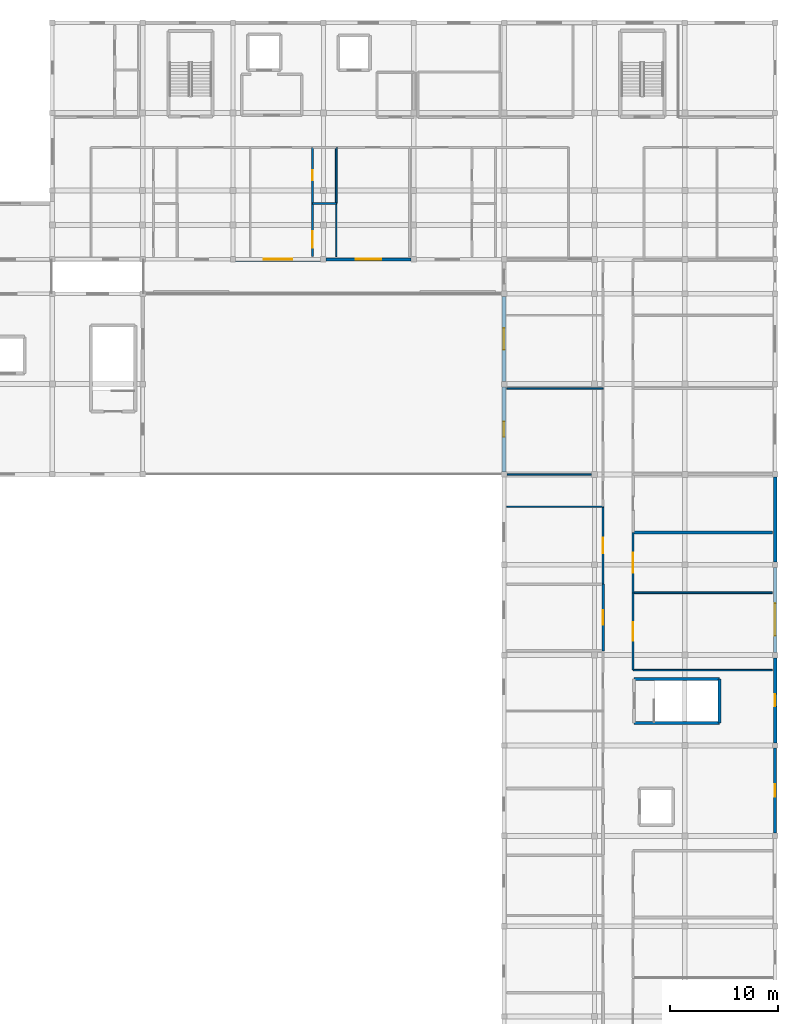
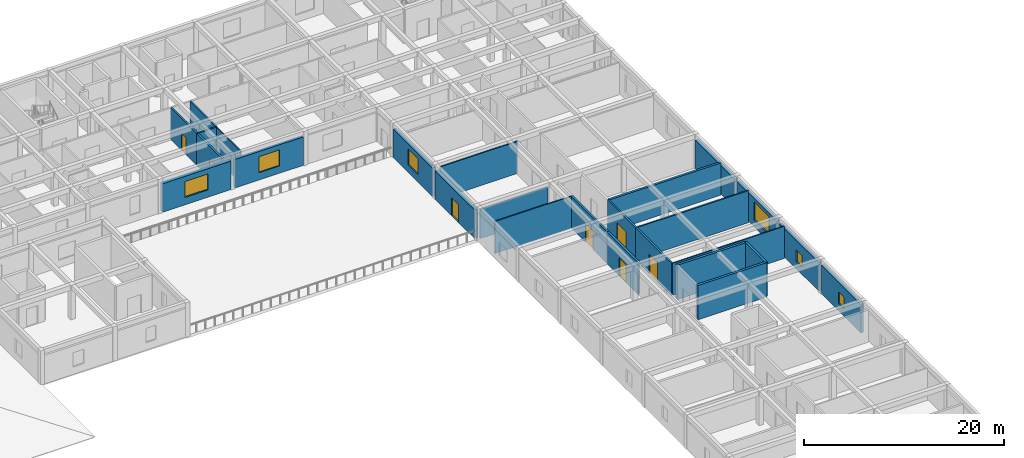
# One storey, part 17 of 28: 26 walls, 7 doors, 6 windows, 13 openings.
"""IFC4 building model written with IfcOpenShell, lengths in metres."""

from ifc_helpers import new_model, si_unit, direction, frame, frame_2d, origin, place, context, subcontext, project, spatial, rectangle, extrude, material, layer, layer_set, type_object, element, fill, save


model = new_model("IFC4")

# Units and contexts
model_context = context("Model", 3, precision=1e-05, world=origin(), true_north=direction((0.0, 1.0)))
body_context = subcontext(model_context, "Body", "Model", "MODEL_VIEW")
ifc_project = project(units=[si_unit("LENGTHUNIT", "METRE"), si_unit("AREAUNIT", "SQUARE_METRE"), si_unit("VOLUMEUNIT", "CUBIC_METRE"), si_unit("PLANEANGLEUNIT", "RADIAN"), si_unit("MASSUNIT", "GRAM", prefix="KILO")], contexts=[model_context])

# Site, building, storey
site_placement = place(None, origin())
site = spatial("IfcSite", under=ifc_project, at=site_placement, CompositionType="ELEMENT")
building_placement = place(site_placement, origin())
building = spatial("IfcBuilding", under=site, at=building_placement, Name="Varncliffe General Hospital", CompositionType="ELEMENT")
storey_placement = place(building_placement, frame((0.0, 0.0, 24.60009765625)))
storey = spatial("IfcBuildingStorey", under=building, at=storey_placement, Name="L05", CompositionType="ELEMENT", Elevation=24.60009765625)

# Wall, opening, window
ifc_material_1 = material(Name="Precast concrete C40/50 with insulated cream lime-cement stucco", Category="concrete")
ifc_layer_1 = layer(ifc_material_1, 0.31005859375)
ifc_layer_set_1 = layer_set([ifc_layer_1], Name="Precast concrete C40/50 with insulated cream lime-cement stucco")
wall_type_1 = type_object("IfcWallType", Name="Exterior Insulated Stucco Wall EW20 (310mm)", PredefinedType="SOLIDWALL", material=ifc_layer_set_1)
wall_1_placement = place(storey_placement, frame((176.39990234375, 65.751953125, 0.0), z_axis=(0.0, 0.0, 1.0), x_axis=(0.0, -1.0, 0.0)))
wall_1 = element("IfcWall", 1, at=wall_1_placement, inside=storey, type_object=wall_type_1, Name="L05 Exterior Stucco Wall EW20-456", PredefinedType="SOLIDWALL", context=body_context, shape_type="SweptSolid", body=[
    extrude(rectangle(XDim=7.904052734375, YDim=0.31005859375, at=frame_2d((3.9521484375, 0.0))), origin(), (0.0, 0.0, 1.0), 3.47998046875),
])
opening_1_placement = place(wall_1_placement, frame((3.376953125, 0.0, 0.89990234375)))
opening_1 = element("IfcOpeningElement", 2, at=opening_1_placement, cuts=wall_1, Name="Opening WN62", PredefinedType="OPENING", context=body_context, shape_type="SweptSolid", body=[
    extrude(rectangle(XDim=1.14990234375, YDim=1.39990234375, at=frame_2d((0.574951171875, 0.699951171875))), frame((0.0, 0.1650390625, 0.0), z_axis=(0.0, -1.0, 0.0), x_axis=(1.0, 0.0, 0.0)), (0.0, 0.0, 1.0), 0.330078125),
])
ifc_material_2 = material(Name="Triple low-E argon insulated vision glazing", Category="glass")
window_type_1 = type_object("IfcWindowType", Name="Triple-Glazed Hospital Window WN62 (1150x1400)", PartitioningType="SINGLE_PANEL", PredefinedType="WINDOW", material=ifc_material_2)
window_1_placement = place(opening_1_placement, origin())
window_1 = element("IfcWindow", 3, at=window_1_placement, inside=storey, type_object=window_type_1, Name="L05 Hospital Window WN62-349", OverallHeight=1.39990234375, OverallWidth=1.14990234375, PartitioningType="SINGLE_PANEL", PredefinedType="WINDOW", context=body_context, shape_type="SweptSolid", body=[
    extrude(rectangle(XDim=1.14990234375, YDim=1.39990234375, at=frame_2d((0.574951171875, 0.699951171875))), frame((0.0, 0.030029296875, 0.0), z_axis=(0.0, -1.0, 0.0), x_axis=(1.0, 0.0, 0.0)), (0.0, 0.0, 1.0), 0.06005859375),
])
fill(opening_1, window_1)

# Wall, opening, door
ifc_layer_2 = layer(ifc_material_1, 0.3798828125)
ifc_layer_set_2 = layer_set([ifc_layer_2], Name="Precast concrete C40/50 with insulated cream lime-cement stucco")
wall_type_2 = type_object("IfcWallType", Name="Exterior Insulated Stucco Wall EW26 (380mm)", PredefinedType="SOLIDWALL", material=ifc_layer_set_2)
wall_2_placement = place(storey_placement, frame((151.199951171875, 83.048095703125, 0.0), z_axis=(0.0, 0.0, 1.0), x_axis=(0.0, 1.0, 0.0)))
wall_2 = element("IfcWall", 4, at=wall_2_placement, inside=storey, type_object=wall_type_2, Name="L05 Exterior Stucco Wall EW26-389", PredefinedType="SOLIDWALL", context=body_context, shape_type="SweptSolid", body=[
    extrude(rectangle(XDim=7.90380859375, YDim=0.3798828125, at=frame_2d((3.951904296875, 0.0))), origin(), (0.0, 0.0, 1.0), 3.47998046875),
])
opening_2_placement = place(wall_2_placement, frame((3.251953125, 0.0, 0.0)))
opening_2 = element("IfcOpeningElement", 5, at=opening_2_placement, cuts=wall_2, Name="Opening DE56", PredefinedType="OPENING", context=body_context, shape_type="SweptSolid", body=[
    extrude(rectangle(XDim=1.39990234375, YDim=2.199951171875, at=frame_2d((0.699951171875, 1.10009765625))), frame((0.0, 0.199951171875, 0.0), z_axis=(0.0, -1.0, 0.0), x_axis=(1.0, 0.0, 0.0)), (0.0, 0.0, 1.0), 0.39990234375),
])
ifc_material_3 = material(Name="Thermally broken bronze-anodized aluminium and safety glass door", Category="aluminium")
door_type_1 = type_object("IfcDoorType", Name="Exterior Pedestrian Door DE56 (1400x2200)", OperationType="NOTDEFINED", PredefinedType="DOOR", material=ifc_material_3)
door_1_placement = place(opening_2_placement, origin())
door_1 = element("IfcDoor", 6, at=door_1_placement, inside=storey, type_object=door_type_1, Name="L05 Healing Terrace Access Door 37", OperationType="SINGLE_SWING_RIGHT", OverallHeight=2.199951171875, OverallWidth=1.39990234375, PredefinedType="DOOR", context=body_context, shape_type="SweptSolid", body=[
    extrude(rectangle(XDim=1.39990234375, YDim=2.199951171875, at=frame_2d((0.699951171875, 1.10009765625))), frame((0.0, 0.02490234375, 0.0), z_axis=(0.0, -1.0, 0.0), x_axis=(1.0, 0.0, 0.0)), (0.0, 0.0, 1.0), 0.050048828125),
])
fill(opening_2, door_1)

# Wall, opening, window
wall_3_placement = place(storey_placement, frame((134.152099609375, 102.800048828125, 0.0), z_axis=(0.0, 0.0, 1.0), x_axis=(-1.0, 0.0, 0.0)))
wall_3 = element("IfcWall", 7, at=wall_3_placement, inside=storey, type_object=wall_type_2, Name="L05 Exterior Stucco Wall EW26-394", PredefinedType="SOLIDWALL", context=body_context, shape_type="SweptSolid", body=[
    extrude(rectangle(XDim=7.904052734375, YDim=0.3798828125, at=frame_2d((3.9521484375, 0.0))), origin(), (0.0, 0.0, 1.0), 3.47998046875),
])
opening_3_placement = place(wall_3_placement, frame((2.626953125, 0.0, 0.89990234375)))
opening_3 = element("IfcOpeningElement", 8, at=opening_3_placement, cuts=wall_3, Name="Opening WN30", PredefinedType="OPENING", context=body_context, shape_type="SweptSolid", body=[
    extrude(rectangle(XDim=2.64990234375, YDim=1.949951171875, at=frame_2d((1.324951171875, 0.97509765625))), frame((0.0, 0.199951171875, 0.0), z_axis=(0.0, -1.0, 0.0), x_axis=(1.0, 0.0, 0.0)), (0.0, 0.0, 1.0), 0.39990234375),
])
window_type_2 = type_object("IfcWindowType", Name="Triple-Glazed Hospital Window WN30 (2650x1950)", PartitioningType="DOUBLE_PANEL_VERTICAL", PredefinedType="WINDOW", material=ifc_material_2)
window_2_placement = place(opening_3_placement, origin())
window_2 = element("IfcWindow", 9, at=window_2_placement, inside=storey, type_object=window_type_2, Name="L05 Hospital Window WN30-296", OverallHeight=1.949951171875, OverallWidth=2.64990234375, PartitioningType="DOUBLE_PANEL_VERTICAL", PredefinedType="WINDOW", context=body_context, shape_type="SweptSolid", body=[
    extrude(rectangle(XDim=2.64990234375, YDim=1.949951171875, at=frame_2d((1.324951171875, 0.97509765625))), frame((0.0, 0.030029296875, 0.0), z_axis=(0.0, -1.0, 0.0), x_axis=(1.0, 0.0, 0.0)), (0.0, 0.0, 1.0), 0.06005859375),
])
fill(opening_3, window_2)

ifc_layer_3 = layer(ifc_material_1, 0.2900390625)
ifc_layer_set_3 = layer_set([ifc_layer_3], Name="Precast concrete C40/50 with insulated cream lime-cement stucco")
wall_type_3 = type_object("IfcWallType", Name="Exterior Insulated Stucco Wall EW31 (290mm)", PredefinedType="SOLIDWALL", material=ifc_layer_set_3)
wall_4_placement = place(storey_placement, frame((142.552001953125, 102.800048828125, 0.0), z_axis=(0.0, 0.0, 1.0), x_axis=(-1.0, 0.0, 0.0)))
wall_4 = element("IfcWall", 10, at=wall_4_placement, inside=storey, type_object=wall_type_3, Name="L05 Exterior Stucco Wall EW31-393", PredefinedType="SOLIDWALL", context=body_context, shape_type="SweptSolid", body=[
    extrude(rectangle(XDim=7.904052734375, YDim=0.2900390625, at=frame_2d((3.9521484375, 0.0))), origin(), (0.0, 0.0, 1.0), 3.47998046875),
])
opening_4_placement = place(wall_4_placement, frame((2.751953125, 0.0, 0.89990234375)))
opening_4 = element("IfcOpeningElement", 11, at=opening_4_placement, cuts=wall_4, Name="Opening WN16", PredefinedType="OPENING", context=body_context, shape_type="SweptSolid", body=[
    extrude(rectangle(XDim=2.39990234375, YDim=1.949951171875, at=frame_2d((1.199951171875, 0.97509765625))), frame((0.0, 0.155029296875, 0.0), z_axis=(0.0, -1.0, 0.0), x_axis=(1.0, 0.0, 0.0)), (0.0, 0.0, 1.0), 0.31005859375),
])
window_type_3 = type_object("IfcWindowType", Name="Triple-Glazed Hospital Window WN16 (2400x1950)", PartitioningType="DOUBLE_PANEL_VERTICAL", PredefinedType="WINDOW", material=ifc_material_2)
window_3_placement = place(opening_4_placement, origin())
window_3 = element("IfcWindow", 12, at=window_3_placement, inside=storey, type_object=window_type_3, Name="L05 Hospital Window WN16-295", OverallHeight=1.949951171875, OverallWidth=2.39990234375, PartitioningType="DOUBLE_PANEL_VERTICAL", PredefinedType="WINDOW", context=body_context, shape_type="SweptSolid", body=[
    extrude(rectangle(XDim=2.39990234375, YDim=1.949951171875, at=frame_2d((1.199951171875, 0.97509765625))), frame((0.0, 0.030029296875, 0.0), z_axis=(0.0, -1.0, 0.0), x_axis=(1.0, 0.0, 0.0)), (0.0, 0.0, 1.0), 0.06005859375),
])
fill(opening_4, window_3)

wall_5_placement = place(storey_placement, frame((176.39990234375, 57.35205078125, 0.0), z_axis=(0.0, 0.0, 1.0), x_axis=(0.0, -1.0, 0.0)))
wall_5 = element("IfcWall", 13, at=wall_5_placement, inside=storey, type_object=wall_type_3, Name="L05 Exterior Stucco Wall EW31-457", PredefinedType="SOLIDWALL", context=body_context, shape_type="SweptSolid", body=[
    extrude(rectangle(XDim=7.904052734375, YDim=0.2900390625, at=frame_2d((3.9521484375, 0.0))), origin(), (0.0, 0.0, 1.0), 3.47998046875),
])
opening_5_placement = place(wall_5_placement, frame((3.376953125, 0.0, 0.89990234375)))
opening_5 = element("IfcOpeningElement", 14, at=opening_5_placement, cuts=wall_5, Name="Opening WN62", PredefinedType="OPENING", context=body_context, shape_type="SweptSolid", body=[
    extrude(rectangle(XDim=1.14990234375, YDim=1.39990234375, at=frame_2d((0.574951171875, 0.699951171875))), frame((0.0, 0.155029296875, 0.0), z_axis=(0.0, -1.0, 0.0), x_axis=(1.0, 0.0, 0.0)), (0.0, 0.0, 1.0), 0.31005859375),
])
window_4_placement = place(opening_5_placement, origin())
window_4 = element("IfcWindow", 15, at=window_4_placement, inside=storey, type_object=window_type_1, Name="L05 Hospital Window WN62-350", OverallHeight=1.39990234375, OverallWidth=1.14990234375, PartitioningType="SINGLE_PANEL", PredefinedType="WINDOW", context=body_context, shape_type="SweptSolid", body=[
    extrude(rectangle(XDim=1.14990234375, YDim=1.39990234375, at=frame_2d((0.574951171875, 0.699951171875))), frame((0.0, 0.030029296875, 0.0), z_axis=(0.0, -1.0, 0.0), x_axis=(1.0, 0.0, 0.0)), (0.0, 0.0, 1.0), 0.06005859375),
])
fill(opening_5, window_4)

ifc_layer_4 = layer(ifc_material_1, 0.330078125)
ifc_layer_set_4 = layer_set([ifc_layer_4], Name="Precast concrete C40/50 with insulated cream lime-cement stucco")
wall_type_4 = type_object("IfcWallType", Name="Exterior Insulated Stucco Wall EW33 (330mm)", PredefinedType="SOLIDWALL", material=ifc_layer_set_4)
wall_6_placement = place(storey_placement, frame((176.39990234375, 74.152099609375, 0.0), z_axis=(0.0, 0.0, 1.0), x_axis=(0.0, -1.0, 0.0)))
wall_6 = element("IfcWall", 16, at=wall_6_placement, inside=storey, type_object=wall_type_4, Name="L05 Exterior Stucco Wall EW33-455", PredefinedType="SOLIDWALL", context=body_context, shape_type="SweptSolid", body=[
    extrude(rectangle(XDim=7.904052734375, YDim=0.330078125, at=frame_2d((3.9521484375, 0.0))), origin(), (0.0, 0.0, 1.0), 3.47998046875),
])
opening_6_placement = place(wall_6_placement, frame((3.3330078125, 0.0, 0.89990234375)))
opening_6 = element("IfcOpeningElement", 17, at=opening_6_placement, cuts=wall_6, Name="Opening WN37", PredefinedType="OPENING", context=body_context, shape_type="SweptSolid", body=[
    extrude(rectangle(XDim=3.0, YDim=2.14990234375, at=frame_2d((1.5, 1.074951171875))), frame((0.0, 0.175048828125, 0.0), z_axis=(0.0, -1.0, 0.0), x_axis=(1.0, 0.0, 0.0)), (0.0, 0.0, 1.0), 0.35009765625),
])
window_type_4 = type_object("IfcWindowType", Name="Triple-Glazed Hospital Window WN37 (3000x2150)", PartitioningType="DOUBLE_PANEL_VERTICAL", PredefinedType="WINDOW", material=ifc_material_2)
window_5_placement = place(opening_6_placement, origin())
window_5 = element("IfcWindow", 18, at=window_5_placement, inside=storey, type_object=window_type_4, Name="L05 Hospital Window WN37-348", OverallHeight=2.14990234375, OverallWidth=3.0, PartitioningType="DOUBLE_PANEL_VERTICAL", PredefinedType="WINDOW", context=body_context, shape_type="SweptSolid", body=[
    extrude(rectangle(XDim=3.0, YDim=2.14990234375, at=frame_2d((1.5, 1.074951171875))), frame((0.0, 0.030029296875, 0.0), z_axis=(0.0, -1.0, 0.0), x_axis=(1.0, 0.0, 0.0)), (0.0, 0.0, 1.0), 0.06005859375),
])
fill(opening_6, window_5)

ifc_layer_5 = layer(ifc_material_1, 0.35009765625)
ifc_layer_set_5 = layer_set([ifc_layer_5], Name="Precast concrete C40/50 with insulated cream lime-cement stucco")
wall_type_5 = type_object("IfcWallType", Name="Exterior Insulated Stucco Wall EW37 (350mm)", PredefinedType="SOLIDWALL", material=ifc_layer_set_5)
wall_7_placement = place(storey_placement, frame((151.199951171875, 91.447998046875, 0.0), z_axis=(0.0, 0.0, 1.0), x_axis=(0.0, 1.0, 0.0)))
wall_7 = element("IfcWall", 19, at=wall_7_placement, inside=storey, type_object=wall_type_5, Name="L05 Exterior Stucco Wall EW37-390", PredefinedType="SOLIDWALL", context=body_context, shape_type="SweptSolid", body=[
    extrude(rectangle(XDim=7.904052734375, YDim=0.35009765625, at=frame_2d((3.9521484375, 0.0))), origin(), (0.0, 0.0, 1.0), 3.47998046875),
])
opening_7_placement = place(wall_7_placement, frame((2.951904296875, 0.0, 0.89990234375)))
opening_7 = element("IfcOpeningElement", 20, at=opening_7_placement, cuts=wall_7, Name="Opening WN79", PredefinedType="OPENING", context=body_context, shape_type="SweptSolid", body=[
    extrude(rectangle(XDim=2.0, YDim=1.949951171875, at=frame_2d((1.0, 0.97509765625))), frame((0.0, 0.18505859375, 0.0), z_axis=(0.0, -1.0, 0.0), x_axis=(1.0, 0.0, 0.0)), (0.0, 0.0, 1.0), 0.3701171875),
])
window_type_5 = type_object("IfcWindowType", Name="Triple-Glazed Hospital Window WN79 (2000x1950)", PartitioningType="DOUBLE_PANEL_VERTICAL", PredefinedType="WINDOW", material=ifc_material_2)
window_6_placement = place(opening_7_placement, origin())
window_6 = element("IfcWindow", 21, at=window_6_placement, inside=storey, type_object=window_type_5, Name="L05 Hospital Window WN79-293", OverallHeight=1.949951171875, OverallWidth=2.0, PartitioningType="DOUBLE_PANEL_VERTICAL", PredefinedType="WINDOW", context=body_context, shape_type="SweptSolid", body=[
    extrude(rectangle(XDim=2.0, YDim=1.949951171875, at=frame_2d((1.0, 0.97509765625))), frame((0.0, 0.030029296875, 0.0), z_axis=(0.0, -1.0, 0.0), x_axis=(1.0, 0.0, 0.0)), (0.0, 0.0, 1.0), 0.06005859375),
])
fill(opening_7, window_6)

# Walls
wall_8_placement = place(storey_placement, frame((176.39990234375, 82.552001953125, 0.0), z_axis=(0.0, 0.0, 1.0), x_axis=(0.0, -1.0, 0.0)))
element("IfcWall", 22, at=wall_8_placement, inside=storey, type_object=wall_type_5, Name="L05 Exterior Stucco Wall EW37-454", PredefinedType="SOLIDWALL", context=body_context, shape_type="SweptSolid", body=[
    extrude(rectangle(XDim=7.904052734375, YDim=0.35009765625, at=frame_2d((3.9521484375, 0.0))), origin(), (0.0, 0.0, 1.0), 3.47998046875),
])
ifc_material_4 = material(Name="Acoustic clinical gypsum stud partition assembly", Category="gypsum")
ifc_layer_6 = layer(ifc_material_4, 0.1298828125)
ifc_layer_set_6 = layer_set([ifc_layer_6], Name="Acoustic clinical gypsum stud partition assembly")
wall_type_6 = type_object("IfcWallType", Name="Interior Partitioning IW11 (130mm)", PredefinedType="PARTITIONING", material=ifc_layer_set_6)
wall_9_placement = place(storey_placement, frame((163.199951171875, 64.60009765625, 0.0), z_axis=(0.0, 0.0, 1.0), x_axis=(1.0, 0.0, 0.0)))
element("IfcWall", 23, at=wall_9_placement, inside=storey, type_object=wall_type_6, Name="L05 Interior Partition Wall IW11-2013", PredefinedType="PARTITIONING", context=body_context, shape_type="SweptSolid", body=[
    extrude(rectangle(XDim=12.93994140625, YDim=0.1298828125, at=frame_2d((6.469970703125, 0.0))), origin(), (0.0, 0.0, 1.0), 3.919921875),
])
wall_10_placement = place(storey_placement, frame((151.4599609375, 79.800048828125, 0.0), z_axis=(0.0, 0.0, 1.0), x_axis=(1.0, 0.0, 0.0)))
element("IfcWall", 24, at=wall_10_placement, inside=storey, type_object=wall_type_6, Name="L05 Interior Partition Wall IW11-2018", PredefinedType="PARTITIONING", context=body_context, shape_type="SweptSolid", body=[
    extrude(rectangle(XDim=8.93994140625, YDim=0.1298828125, at=frame_2d((4.469970703125, 0.0))), origin(), (0.0, 0.0, 1.0), 3.919921875),
])
ifc_layer_7 = layer(ifc_material_4, 0.169921875)
ifc_layer_set_7 = layer_set([ifc_layer_7], Name="Acoustic clinical gypsum stud partition assembly")
wall_type_7 = type_object("IfcWallType", Name="Interior Partitioning IW20 (170mm)", PredefinedType="PARTITIONING", material=ifc_layer_set_7)
wall_11_placement = place(storey_placement, frame((163.199951171875, 71.800048828125, 0.0), z_axis=(0.0, 0.0, 1.0), x_axis=(1.0, 0.0, 0.0)))
element("IfcWall", 25, at=wall_11_placement, inside=storey, type_object=wall_type_7, Name="L05 Interior Partition Wall IW20-2015", PredefinedType="PARTITIONING", context=body_context, shape_type="SweptSolid", body=[
    extrude(rectangle(XDim=12.93994140625, YDim=0.169921875, at=frame_2d((6.469970703125, 0.0))), origin(), (0.0, 0.0, 1.0), 3.919921875),
])
ifc_layer_8 = layer(ifc_material_4, 0.14990234375)
ifc_layer_set_8 = layer_set([ifc_layer_8], Name="Acoustic clinical gypsum stud partition assembly")
wall_type_8 = type_object("IfcWallType", Name="Interior Partitioning IW35 (150mm)", PredefinedType="PARTITIONING", material=ifc_layer_set_8)
wall_12_placement = place(storey_placement, frame((151.465087890625, 82.800048828125, 0.0), z_axis=(0.0, 0.0, 1.0), x_axis=(1.0, 0.0, 0.0)))
element("IfcWall", 26, at=wall_12_placement, inside=storey, type_object=wall_type_8, Name="L05 Interior Partition Wall IW35-2019", PredefinedType="PARTITIONING", context=body_context, shape_type="SweptSolid", body=[
    extrude(rectangle(XDim=7.844970703125, YDim=0.14990234375, at=frame_2d((3.92236328125, 0.0))), origin(), (0.0, 0.0, 1.0), 3.5849609375),
])
wall_13_placement = place(storey_placement, frame((151.4599609375, 90.800048828125, 0.0), z_axis=(0.0, 0.0, 1.0), x_axis=(1.0, 0.0, 0.0)))
element("IfcWall", 27, at=wall_13_placement, inside=storey, type_object=wall_type_8, Name="L05 Interior Partition Wall IW35-2024", PredefinedType="PARTITIONING", context=body_context, shape_type="SweptSolid", body=[
    extrude(rectangle(XDim=8.93994140625, YDim=0.14990234375, at=frame_2d((4.469970703125, 0.0))), origin(), (0.0, 0.0, 1.0), 3.919921875),
])
ifc_layer_9 = layer(ifc_material_4, 0.110107421875)
ifc_layer_set_9 = layer_set([ifc_layer_9], Name="Acoustic clinical gypsum stud partition assembly")
wall_type_9 = type_object("IfcWallType", Name="Interior Partitioning IW65 (110mm)", PredefinedType="PARTITIONING", material=ifc_layer_set_9)
wall_14_placement = place(storey_placement, frame((135.60009765625, 103.06005859375, 0.0), z_axis=(0.0, 0.0, 1.0), x_axis=(0.0, 1.0, 0.0)))
element("IfcWall", 28, at=wall_14_placement, inside=storey, type_object=wall_type_9, Name="L05 Interior Partition Wall IW65-2152", PredefinedType="PARTITIONING", context=body_context, shape_type="SweptSolid", body=[
    extrude(rectangle(XDim=4.93994140625, YDim=0.110107421875, at=frame_2d((2.469970703125, 0.0))), origin(), (0.0, 0.0, 1.0), 3.919921875),
])
ifc_material_5 = material(Name="Fire-rated gypsum and mineral-wool partition assembly", Category="gypsum")
ifc_layer_10 = layer(ifc_material_5, 0.25)
ifc_layer_set_10 = layer_set([ifc_layer_10], Name="Fire-rated gypsum and mineral-wool partition assembly")
wall_type_10 = type_object("IfcWallType", Name="Interior Partitioning PW38 (250mm)", PredefinedType="PARTITIONING", material=ifc_layer_set_10)
wall_15_placement = place(storey_placement, frame((163.199951171875, 77.39990234375, 0.0), z_axis=(0.0, 0.0, 1.0), x_axis=(1.0, 0.0, 0.0)))
element("IfcWall", 29, at=wall_15_placement, inside=storey, type_object=wall_type_10, Name="L05 Interior Partition Wall PW38-2017", PredefinedType="PARTITIONING", context=body_context, shape_type="SweptSolid", body=[
    extrude(rectangle(XDim=12.93994140625, YDim=0.25, at=frame_2d((6.469970703125, 0.0))), origin(), (0.0, 0.0, 1.0), 3.919921875),
])

# Wall, opening, door
ifc_layer_11 = layer(ifc_material_5, 0.22998046875)
ifc_layer_set_11 = layer_set([ifc_layer_11], Name="Fire-rated gypsum and mineral-wool partition assembly")
wall_type_11 = type_object("IfcWallType", Name="Interior Partitioning PW48 (230mm)", PredefinedType="PARTITIONING", material=ifc_layer_set_11)
wall_16_placement = place(storey_placement, frame((160.39990234375, 66.39990234375, 0.0), z_axis=(0.0, 0.0, 1.0), x_axis=(0.0, 1.0, 0.0)))
wall_16 = element("IfcWall", 30, at=wall_16_placement, inside=storey, type_object=wall_type_11, Name="L05 Interior Partition Wall PW48-2174", PredefinedType="PARTITIONING", context=body_context, shape_type="SweptSolid", body=[
    extrude(rectangle(XDim=6.2001953125, YDim=0.22998046875, at=frame_2d((3.10009765625, 0.0))), origin(), (0.0, 0.0, 1.0), 3.919921875),
])
opening_8_placement = place(wall_16_placement, frame((2.425048828125, 0.0, 0.0)))
opening_8 = element("IfcOpeningElement", 31, at=opening_8_placement, cuts=wall_16, Name="Opening DC85", PredefinedType="OPENING", context=body_context, shape_type="SweptSolid", body=[
    extrude(rectangle(XDim=1.35009765625, YDim=2.199951171875, at=frame_2d((0.675048828125, 1.10009765625))), frame((0.0, 0.125, 0.0), z_axis=(0.0, -1.0, 0.0), x_axis=(1.0, 0.0, 0.0)), (0.0, 0.0, 1.0), 0.25),
])
ifc_material_6 = material(Name="Fire-rated hospital steel-frame vision-panel door", Category="steel")
door_type_2 = type_object("IfcDoorType", Name="Interior Hospital Door DC85 (1350x2200)", OperationType="NOTDEFINED", PredefinedType="DOOR", material=ifc_material_6)
door_2_placement = place(opening_8_placement, origin())
door_2 = element("IfcDoor", 32, at=door_2_placement, inside=storey, type_object=door_type_2, Name="L05 Clinic Clean Supply Store 35 Door", OperationType="SINGLE_SWING_LEFT", OverallHeight=2.199951171875, OverallWidth=1.35009765625, PredefinedType="DOOR", context=body_context, shape_type="SweptSolid", body=[
    extrude(rectangle(XDim=1.35009765625, YDim=2.199951171875, at=frame_2d((0.675048828125, 1.10009765625))), frame((0.0, 0.02490234375, 0.0), z_axis=(0.0, -1.0, 0.0), x_axis=(1.0, 0.0, 0.0)), (0.0, 0.0, 1.0), 0.050048828125),
])
fill(opening_8, door_2)

ifc_layer_12 = layer(ifc_material_5, 0.199951171875)
ifc_layer_set_12 = layer_set([ifc_layer_12], Name="Fire-rated gypsum and mineral-wool partition assembly")
wall_type_12 = type_object("IfcWallType", Name="Interior Partitioning PW63 (200mm)", PredefinedType="PARTITIONING", material=ifc_layer_set_12)
wall_17_placement = place(storey_placement, frame((133.39990234375, 103.06005859375, 0.0), z_axis=(0.0, 0.0, 1.0), x_axis=(0.0, 1.0, 0.0)))
wall_17 = element("IfcWall", 33, at=wall_17_placement, inside=storey, type_object=wall_type_12, Name="L05 Interior Partition Wall PW63-2150", PredefinedType="PARTITIONING", context=body_context, shape_type="SweptSolid", body=[
    extrude(rectangle(XDim=4.93994140625, YDim=0.199951171875, at=frame_2d((2.469970703125, 0.0))), origin(), (0.0, 0.0, 1.0), 3.919921875),
])
opening_9_placement = place(wall_17_placement, frame((0.822021484375, 0.0, 0.0)))
opening_9 = element("IfcOpeningElement", 34, at=opening_9_placement, cuts=wall_17, Name="Opening DC67", PredefinedType="OPENING", context=body_context, shape_type="SweptSolid", body=[
    extrude(rectangle(XDim=1.550048828125, YDim=2.25, at=frame_2d((0.77490234375, 1.125))), frame((0.0, 0.10986328125, 0.0), z_axis=(0.0, -1.0, 0.0), x_axis=(1.0, 0.0, 0.0)), (0.0, 0.0, 1.0), 0.219970703125),
])
door_type_3 = type_object("IfcDoorType", Name="Interior Hospital Door DC67 (1550x2250)", OperationType="NOTDEFINED", PredefinedType="DOOR", material=ifc_material_6)
door_3_placement = place(opening_9_placement, frame((1.550048828125, 0.0, 0.0), z_axis=(0.0, 0.0, 1.0), x_axis=(-1.0, 0.0, 0.0)))
door_3 = element("IfcDoor", 35, at=door_3_placement, inside=storey, type_object=door_type_3, Name="L05 Patient Medication and Hygiene Bay 66 Door", OperationType="SINGLE_SWING_LEFT", OverallHeight=2.25, OverallWidth=1.550048828125, PredefinedType="DOOR", context=body_context, shape_type="SweptSolid", body=[
    extrude(rectangle(XDim=1.550048828125, YDim=2.25, at=frame_2d((0.77490234375, 1.125))), frame((0.0, 0.02490234375, 0.0), z_axis=(0.0, -1.0, 0.0), x_axis=(1.0, 0.0, 0.0)), (0.0, 0.0, 1.0), 0.050048828125),
])
fill(opening_9, door_3)

wall_18_placement = place(storey_placement, frame((133.39990234375, 108.0, 0.0), z_axis=(0.0, 0.0, 1.0), x_axis=(0.0, 1.0, 0.0)))
wall_18 = element("IfcWall", 36, at=wall_18_placement, inside=storey, type_object=wall_type_12, Name="L05 Interior Partition Wall PW63-2151", PredefinedType="PARTITIONING", context=body_context, shape_type="SweptSolid", body=[
    extrude(rectangle(XDim=5.199951171875, YDim=0.199951171875, at=frame_2d((2.60009765625, 0.0))), origin(), (0.0, 0.0, 1.0), 3.919921875),
])
opening_10_placement = place(wall_18_placement, frame((2.139892578125, 0.0, 0.0)))
opening_10 = element("IfcOpeningElement", 37, at=opening_10_placement, cuts=wall_18, Name="Opening DI70", PredefinedType="OPENING", context=body_context, shape_type="SweptSolid", body=[
    extrude(rectangle(XDim=0.919921875, YDim=2.10009765625, at=frame_2d((0.4599609375, 1.050048828125))), frame((0.0, 0.10986328125, 0.0), z_axis=(0.0, -1.0, 0.0), x_axis=(1.0, 0.0, 0.0)), (0.0, 0.0, 1.0), 0.219970703125),
])
ifc_material_7 = material(Name="Solid-core antimicrobial hospital oak veneer door", Category="wood")
door_type_4 = type_object("IfcDoorType", Name="Interior Hospital Door DI70 (920x2100)", OperationType="NOTDEFINED", PredefinedType="DOOR", material=ifc_material_7)
door_4_placement = place(opening_10_placement, frame((0.919921875, 0.0, 0.0), z_axis=(0.0, 0.0, 1.0), x_axis=(-1.0, 0.0, 0.0)))
door_4 = element("IfcDoor", 38, at=door_4_placement, inside=storey, type_object=door_type_4, Name="L05 En-Suite Bathroom 65 Door", OperationType="SINGLE_SWING_RIGHT", OverallHeight=2.10009765625, OverallWidth=0.919921875, PredefinedType="DOOR", context=body_context, shape_type="SweptSolid", body=[
    extrude(rectangle(XDim=0.919921875, YDim=2.10009765625, at=frame_2d((0.4599609375, 1.050048828125))), frame((0.0, 0.02490234375, 0.0), z_axis=(0.0, -1.0, 0.0), x_axis=(1.0, 0.0, 0.0)), (0.0, 0.0, 1.0), 0.050048828125),
])
fill(opening_10, door_4)

wall_19_placement = place(storey_placement, frame((160.39990234375, 72.60009765625, 0.0), z_axis=(0.0, 0.0, 1.0), x_axis=(0.0, 1.0, 0.0)))
wall_19 = element("IfcWall", 39, at=wall_19_placement, inside=storey, type_object=wall_type_12, Name="L05 Interior Partition Wall PW63-2175", PredefinedType="PARTITIONING", context=body_context, shape_type="SweptSolid", body=[
    extrude(rectangle(XDim=7.199951171875, YDim=0.199951171875, at=frame_2d((3.60009765625, 0.0))), origin(), (0.0, 0.0, 1.0), 3.919921875),
])
opening_11_placement = place(wall_19_placement, frame((2.875, 0.0, 0.0)))
opening_11 = element("IfcOpeningElement", 40, at=opening_11_placement, cuts=wall_19, Name="Opening DC66", PredefinedType="OPENING", context=body_context, shape_type="SweptSolid", body=[
    extrude(rectangle(XDim=1.449951171875, YDim=2.25, at=frame_2d((0.72509765625, 1.125))), frame((0.0, 0.10986328125, 0.0), z_axis=(0.0, -1.0, 0.0), x_axis=(1.0, 0.0, 0.0)), (0.0, 0.0, 1.0), 0.219970703125),
])
door_type_5 = type_object("IfcDoorType", Name="Interior Hospital Door DC66 (1450x2250)", OperationType="NOTDEFINED", PredefinedType="DOOR", material=ifc_material_6)
door_5_placement = place(opening_11_placement, origin())
door_5 = element("IfcDoor", 41, at=door_5_placement, inside=storey, type_object=door_type_5, Name="L05 Maternal-Fetal Medicine Ultrasound Clinic 36 Door", OperationType="SINGLE_SWING_RIGHT", OverallHeight=2.25, OverallWidth=1.449951171875, PredefinedType="DOOR", context=body_context, shape_type="SweptSolid", body=[
    extrude(rectangle(XDim=1.449951171875, YDim=2.25, at=frame_2d((0.72509765625, 1.125))), frame((0.0, 0.02490234375, 0.0), z_axis=(0.0, -1.0, 0.0), x_axis=(1.0, 0.0, 0.0)), (0.0, 0.0, 1.0), 0.050048828125),
])
fill(opening_11, door_5)

wall_20_placement = place(storey_placement, frame((163.199951171875, 64.60009765625, 0.0), z_axis=(0.0, 0.0, 1.0), x_axis=(0.0, 1.0, 0.0)))
wall_20 = element("IfcWall", 42, at=wall_20_placement, inside=storey, type_object=wall_type_12, Name="L05 Interior Partition Wall PW63-2184", PredefinedType="PARTITIONING", context=body_context, shape_type="SweptSolid", body=[
    extrude(rectangle(XDim=7.199951171875, YDim=0.199951171875, at=frame_2d((3.60009765625, 0.0))), origin(), (0.0, 0.0, 1.0), 3.919921875),
])
opening_12_placement = place(wall_20_placement, frame((2.75, 0.0, 0.0)))
opening_12 = element("IfcOpeningElement", 43, at=opening_12_placement, cuts=wall_20, Name="Opening DC50", PredefinedType="OPENING", context=body_context, shape_type="SweptSolid", body=[
    extrude(rectangle(XDim=1.699951171875, YDim=2.300048828125, at=frame_2d((0.85009765625, 1.14990234375))), frame((0.0, 0.10986328125, 0.0), z_axis=(0.0, -1.0, 0.0), x_axis=(1.0, 0.0, 0.0)), (0.0, 0.0, 1.0), 0.219970703125),
])
door_type_6 = type_object("IfcDoorType", Name="Interior Hospital Door DC50 (1700x2300)", OperationType="NOTDEFINED", PredefinedType="DOOR", material=ifc_material_6)
door_6_placement = place(opening_12_placement, frame((1.699951171875, 0.0, 0.0), z_axis=(0.0, 0.0, 1.0), x_axis=(-1.0, 0.0, 0.0)))
door_6 = element("IfcDoor", 44, at=door_6_placement, inside=storey, type_object=door_type_6, Name="L05 Maternal-Fetal Medicine Ultrasound Clinic 42 Door", OperationType="SINGLE_SWING_LEFT", OverallHeight=2.300048828125, OverallWidth=1.699951171875, PredefinedType="DOOR", context=body_context, shape_type="SweptSolid", body=[
    extrude(rectangle(XDim=1.699951171875, YDim=2.300048828125, at=frame_2d((0.85009765625, 1.14990234375))), frame((0.0, 0.02490234375, 0.0), z_axis=(0.0, -1.0, 0.0), x_axis=(1.0, 0.0, 0.0)), (0.0, 0.0, 1.0), 0.050048828125),
])
fill(opening_12, door_6)

wall_21_placement = place(storey_placement, frame((163.199951171875, 71.800048828125, 0.0), z_axis=(0.0, 0.0, 1.0), x_axis=(0.0, 1.0, 0.0)))
wall_21 = element("IfcWall", 45, at=wall_21_placement, inside=storey, type_object=wall_type_12, Name="L05 Interior Partition Wall PW63-2185", PredefinedType="PARTITIONING", context=body_context, shape_type="SweptSolid", body=[
    extrude(rectangle(XDim=5.599853515625, YDim=0.199951171875, at=frame_2d((2.7998046875, 0.0))), origin(), (0.0, 0.0, 1.0), 3.919921875),
])
opening_13_placement = place(wall_21_placement, frame((1.875, 0.0, 0.0)))
opening_13 = element("IfcOpeningElement", 46, at=opening_13_placement, cuts=wall_21, Name="Opening DC38", PredefinedType="OPENING", context=body_context, shape_type="SweptSolid", body=[
    extrude(rectangle(XDim=1.85009765625, YDim=2.300048828125, at=frame_2d((0.925048828125, 1.14990234375))), frame((0.0, 0.10986328125, 0.0), z_axis=(0.0, -1.0, 0.0), x_axis=(1.0, 0.0, 0.0)), (0.0, 0.0, 1.0), 0.219970703125),
])
door_type_7 = type_object("IfcDoorType", Name="Interior Hospital Door DC38 (1850x2300)", OperationType="NOTDEFINED", PredefinedType="DOOR", material=ifc_material_6)
door_7_placement = place(opening_13_placement, frame((1.85009765625, 0.0, 0.0), z_axis=(0.0, 0.0, 1.0), x_axis=(-1.0, 0.0, 0.0)))
door_7 = element("IfcDoor", 47, at=door_7_placement, inside=storey, type_object=door_type_7, Name="L05 Outpatient Genetics and Counselling Suite 43 Door", OperationType="SINGLE_SWING_RIGHT", OverallHeight=2.300048828125, OverallWidth=1.85009765625, PredefinedType="DOOR", context=body_context, shape_type="SweptSolid", body=[
    extrude(rectangle(XDim=1.85009765625, YDim=2.300048828125, at=frame_2d((0.925048828125, 1.14990234375))), frame((0.0, 0.02490234375, 0.0), z_axis=(0.0, -1.0, 0.0), x_axis=(1.0, 0.0, 0.0)), (0.0, 0.0, 1.0), 0.050048828125),
])
fill(opening_13, door_7)

# Walls
ifc_material_8 = material(Name="Moisture-resistant plumbing chase wall assembly", Category="gypsum")
ifc_layer_13 = layer(ifc_material_8, 0.18994140625)
ifc_layer_set_13 = layer_set([ifc_layer_13], Name="Moisture-resistant plumbing chase wall assembly")
wall_type_13 = type_object("IfcWallType", Name="Interior Plumbingwall MW17 (190mm)", PredefinedType="PLUMBINGWALL", material=ifc_layer_set_13)
wall_22_placement = place(storey_placement, frame((133.39990234375, 108.0, 0.0), z_axis=(0.0, 0.0, 1.0), x_axis=(1.0, 0.0, 0.0)))
element("IfcWall", 48, at=wall_22_placement, inside=storey, type_object=wall_type_13, Name="L05 Interior Plumbing Wall MW17-2046", PredefinedType="PLUMBINGWALL", context=body_context, shape_type="SweptSolid", body=[
    extrude(rectangle(XDim=2.2001953125, YDim=0.18994140625, at=frame_2d((1.10009765625, 0.0))), origin(), (0.0, 0.0, 1.0), 3.919921875),
])
ifc_layer_14 = layer(ifc_material_8, 0.159912109375)
ifc_layer_set_14 = layer_set([ifc_layer_14], Name="Moisture-resistant plumbing chase wall assembly")
wall_type_14 = type_object("IfcWallType", Name="Interior Plumbingwall MW31 (160mm)", PredefinedType="PLUMBINGWALL", material=ifc_layer_set_14)
wall_23_placement = place(storey_placement, frame((135.60009765625, 108.0, 0.0), z_axis=(0.0, 0.0, 1.0), x_axis=(0.0, 1.0, 0.0)))
element("IfcWall", 49, at=wall_23_placement, inside=storey, type_object=wall_type_14, Name="L05 Interior Plumbing Wall MW31-2153", PredefinedType="PLUMBINGWALL", context=body_context, shape_type="SweptSolid", body=[
    extrude(rectangle(XDim=5.199951171875, YDim=0.159912109375, at=frame_2d((2.60009765625, 0.0))), origin(), (0.0, 0.0, 1.0), 3.919921875),
])
ifc_material_9 = material(Name="Concrete C40/50 (CSA A23.1 40 MPa)", Category="concrete")
ifc_layer_15 = layer(ifc_material_9, 0.280029296875)
ifc_layer_set_15 = layer_set([ifc_layer_15], Name="Concrete C40/50 (CSA A23.1 40 MPa)")
wall_type_15 = type_object("IfcWallType", Name="Reinforced Concrete Core Shear Wall CW13 (280mm)", PredefinedType="SHEAR", material=ifc_layer_set_15)
wall_24_placement = place(storey_placement, frame((163.260009765625, 59.7099609375, 0.0), z_axis=(0.0, 0.0, 1.0), x_axis=(1.0, 0.0, 0.0)))
element("IfcWall", 50, at=wall_24_placement, inside=storey, type_object=wall_type_15, Name="L05 ST07 Core Shear Wall L", PredefinedType="SHEAR", context=body_context, shape_type="SweptSolid", body=[
    extrude(rectangle(XDim=7.97998046875, YDim=0.280029296875, at=frame_2d((3.989990234375, 0.0))), origin(), (0.0, 0.0, 1.0), 4.199951171875),
])
wall_25_placement = place(storey_placement, frame((171.239990234375, 59.7099609375, 0.0), z_axis=(0.0, 0.0, 1.0), x_axis=(0.0, 1.0, 0.0)))
element("IfcWall", 51, at=wall_25_placement, inside=storey, type_object=wall_type_15, Name="L05 ST07 Core Shear Wall F", PredefinedType="SHEAR", context=body_context, shape_type="SweptSolid", body=[
    extrude(rectangle(XDim=4.080078125, YDim=0.280029296875, at=frame_2d((2.0400390625, 0.0))), origin(), (0.0, 0.0, 1.0), 4.199951171875),
])
wall_26_placement = place(storey_placement, frame((171.239990234375, 63.7900390625, 0.0), z_axis=(0.0, 0.0, 1.0), x_axis=(-1.0, 0.0, 0.0)))
element("IfcWall", 52, at=wall_26_placement, inside=storey, type_object=wall_type_15, Name="L05 ST07 Core Shear Wall R", PredefinedType="SHEAR", context=body_context, shape_type="SweptSolid", body=[
    extrude(rectangle(XDim=7.97998046875, YDim=0.280029296875, at=frame_2d((3.989990234375, 0.0))), origin(), (0.0, 0.0, 1.0), 4.199951171875),
])

save(model, "model.ifc")
